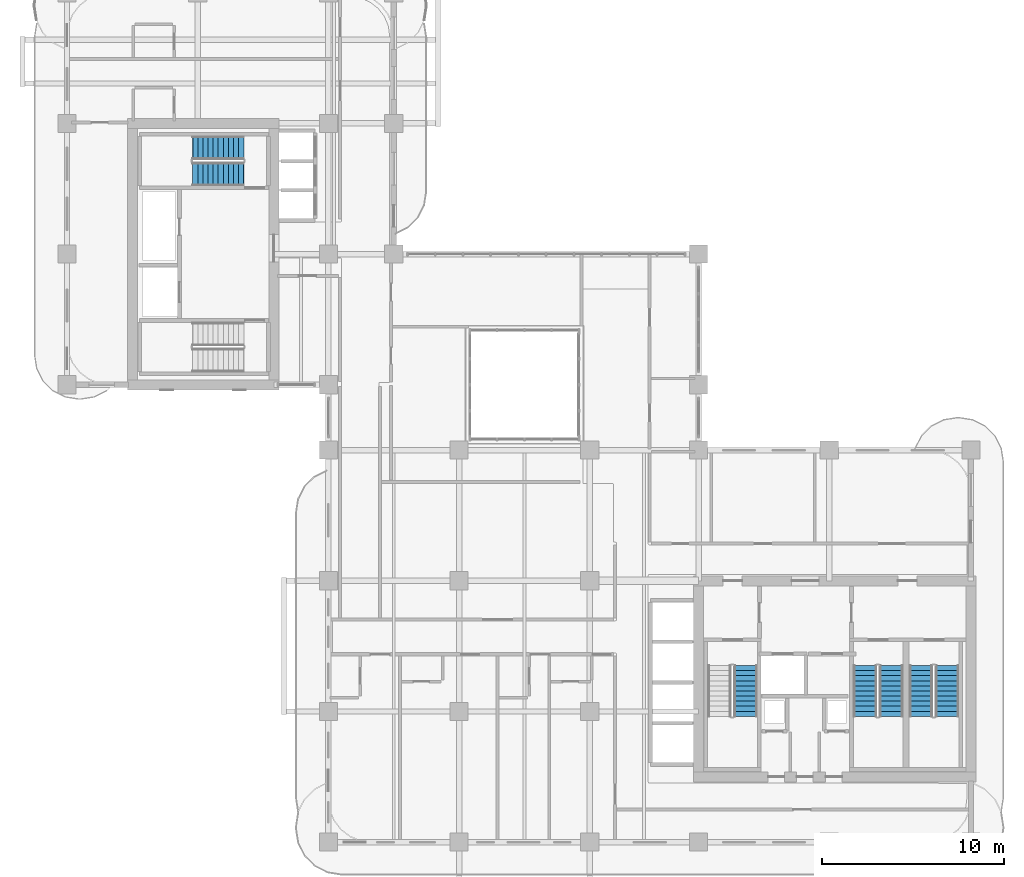
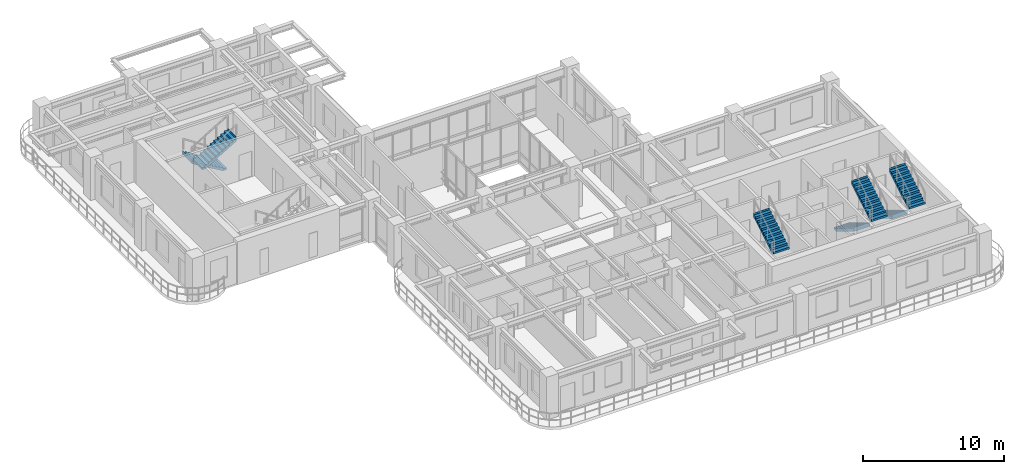
# One storey, part 16 of 20: 7 stair flights, 4 elements without a shape of their own.
"""IFC4 building model written with IfcOpenShell, lengths in metres."""

from ifc_helpers import new_model, si_unit, derived_unit, direction, frame, origin, place, context, subcontext, project, spatial, polyline, outline, extrude, source, transform, mapped, material, layer, layer_set, type_object, element, aggregate, save


model = new_model("IFC4")

# Units and contexts
model_context = context("Model", 3, precision=1e-05, world=origin(), true_north=direction((0.0, 1.0)))
body_context = subcontext(model_context, "Body", "Model", "MODEL_VIEW")
ifc_project = project(units=[si_unit("LENGTHUNIT", "METRE"), si_unit("AREAUNIT", "SQUARE_METRE"), si_unit("VOLUMEUNIT", "CUBIC_METRE"), si_unit("PLANEANGLEUNIT", "RADIAN"), si_unit("MASSUNIT", "GRAM", prefix="KILO"), si_unit("THERMODYNAMICTEMPERATUREUNIT", "KELVIN"), si_unit("POWERUNIT", "WATT"), derived_unit("THERMALTRANSMITTANCEUNIT", [(si_unit("POWERUNIT", "WATT"), 1), (si_unit("AREAUNIT", "SQUARE_METRE"), -1), (si_unit("THERMODYNAMICTEMPERATUREUNIT", "KELVIN"), -1)])], contexts=[model_context])

# Site, building, storey
site_placement = place(None, origin())
site = spatial("IfcSite", under=ifc_project, at=site_placement, CompositionType="ELEMENT")
building_placement = place(site_placement, origin())
building = spatial("IfcBuilding", under=site, at=building_placement, Name="Zahravan Archway Hotel and Residences", CompositionType="ELEMENT")
storey_placement = place(building_placement, frame((0.0, 0.0, 126.60009765625)))
storey = spatial("IfcBuildingStorey", under=building, at=storey_placement, Name="L31", CompositionType="ELEMENT", Elevation=126.60009765625)

# Stair, stair flight
ifc_material = material(Name="Concrete C50/60", Category="concrete")
stair_type = type_object("IfcStairType", Name="STR-CORE-1300", PredefinedType="HALF_TURN_STAIR", material=ifc_material)
stair_1_placement = place(storey_placement, origin())
stair_1 = element("IfcStair", 1, at=stair_1_placement, inside=storey, type_object=stair_type, Name="L31 Core A Exit Stair 1", PredefinedType="HALF_TURN_STAIR")
ifc_layer = layer(ifc_material, 0.199951171875, Name="Concrete C50/60", Category="concrete")
ifc_layer_set = layer_set([ifc_layer], Name="Concrete C50/60")
stair_flight_type = type_object("IfcStairFlightType", Name="SFL-CORE-1300", PredefinedType="STRAIGHT", material=ifc_layer_set)
shared_shape = source(origin(), body_context, "Body", "SweptSolid", [
    extrude(outline(polyline([(-0.01611328125, 0.0), (-0.01611328125, 0.168212890625), (0.280029296875, 0.168212890625), (0.280029296875, 0.33642578125), (0.56005859375, 0.33642578125), (0.56005859375, 0.504638671875), (0.840087890625, 0.504638671875), (0.840087890625, 0.672607421875), (1.1201171875, 0.672607421875), (1.1201171875, 0.8408203125), (1.39990234375, 0.8408203125), (1.39990234375, 1.009033203125), (1.679931640625, 1.009033203125), (1.679931640625, 1.17724609375), (1.9599609375, 1.17724609375), (1.9599609375, 1.345458984375), (2.239990234375, 1.345458984375), (2.239990234375, 1.513671875), (2.52001953125, 1.513671875), (2.52001953125, 1.681884765625), (2.800048828125, 1.681884765625), (2.800048828125, 1.85009765625), (2.816162109375, 1.85009765625), (2.816162109375, 1.5068359375), (0.291015625, 0.0), (-0.01611328125, 0.0)])), frame((0.0, 0.64990234375, 0.0), z_axis=(0.0, -1.0, 0.0), x_axis=(1.0, 0.0, 0.0)), (0.0, 0.0, 1.0), 1.300048828125),
])
stair_flight_1_placement = place(storey_placement, frame((37.389892578125, 6.929931640625, 1.849853515625), z_axis=(0.0, 0.0, 1.0), x_axis=(0.0, 1.0, 0.0)))
stair_flight_1 = element("IfcStairFlight", 2, at=stair_flight_1_placement, type_object=stair_flight_type, Name="ST-A1 flight 2", NumberOfRisers=11, NumberOfTreads=10, PredefinedType="STRAIGHT", RiserHeight=0.168181818, TreadLength=0.28, context=body_context, shape_type="MappedRepresentation", body=[
    mapped(shared_shape, transform((0.0, 0.0, 0.0), scale=1.0)),
])
aggregate(stair_1, [stair_flight_1])

# Stair, stair flights
stair_2_placement = place(storey_placement, origin())
stair_2 = element("IfcStair", 3, at=stair_2_placement, inside=storey, type_object=stair_type, Name="L31 Core A Exit Stair 2", PredefinedType="HALF_TURN_STAIR")
stair_flight_2_placement = place(storey_placement, frame((43.969970703125, 9.72998046875, 0.0), z_axis=(0.0, 0.0, 1.0), x_axis=(0.0, -1.0, 0.0)))
stair_flight_2 = element("IfcStairFlight", 4, at=stair_flight_2_placement, type_object=stair_flight_type, Name="ST-A2 flight 1", NumberOfRisers=11, NumberOfTreads=10, PredefinedType="STRAIGHT", RiserHeight=0.168181818, TreadLength=0.28, context=body_context, shape_type="MappedRepresentation", body=[
    mapped(shared_shape, transform((0.0, 0.0, 0.0), scale=1.0)),
])
stair_flight_3_placement = place(storey_placement, frame((45.409912109375, 6.929931640625, 1.849853515625), z_axis=(0.0, 0.0, 1.0), x_axis=(0.0, 1.0, 0.0)))
stair_flight_3 = element("IfcStairFlight", 5, at=stair_flight_3_placement, type_object=stair_flight_type, Name="ST-A2 flight 2", NumberOfRisers=11, NumberOfTreads=10, PredefinedType="STRAIGHT", RiserHeight=0.168181818, TreadLength=0.28, context=body_context, shape_type="MappedRepresentation", body=[
    mapped(shared_shape, transform((0.0, 0.0, 0.0), scale=1.0)),
])
aggregate(stair_2, [stair_flight_2, stair_flight_3])

stair_3_placement = place(storey_placement, origin())
stair_3 = element("IfcStair", 6, at=stair_3_placement, inside=storey, type_object=stair_type, Name="L31 Core A Exit Stair 3", PredefinedType="HALF_TURN_STAIR")
stair_flight_4_placement = place(storey_placement, frame((47.050048828125, 9.72998046875, 0.0), z_axis=(0.0, 0.0, 1.0), x_axis=(0.0, -1.0, 0.0)))
stair_flight_4 = element("IfcStairFlight", 7, at=stair_flight_4_placement, type_object=stair_flight_type, Name="ST-A3 flight 1", NumberOfRisers=11, NumberOfTreads=10, PredefinedType="STRAIGHT", RiserHeight=0.168181818, TreadLength=0.28, context=body_context, shape_type="MappedRepresentation", body=[
    mapped(shared_shape, transform((0.0, 0.0, 0.0), scale=1.0)),
])
stair_flight_5_placement = place(storey_placement, frame((48.489990234375, 6.929931640625, 1.849853515625), z_axis=(0.0, 0.0, 1.0), x_axis=(0.0, 1.0, 0.0)))
stair_flight_5 = element("IfcStairFlight", 8, at=stair_flight_5_placement, type_object=stair_flight_type, Name="ST-A3 flight 2", NumberOfRisers=11, NumberOfTreads=10, PredefinedType="STRAIGHT", RiserHeight=0.168181818, TreadLength=0.28, context=body_context, shape_type="MappedRepresentation", body=[
    mapped(shared_shape, transform((0.0, 0.0, 0.0), scale=1.0)),
])
aggregate(stair_3, [stair_flight_4, stair_flight_5])

stair_4_placement = place(storey_placement, origin())
stair_4 = element("IfcStair", 9, at=stair_4_placement, inside=storey, type_object=stair_type, Name="L31 Core B Exit Stair 2", PredefinedType="HALF_TURN_STAIR")
stair_flight_6_placement = place(storey_placement, frame((9.72998046875, 38.25, 0.0), z_axis=(0.0, 0.0, 1.0), x_axis=(-1.0, 0.0, 0.0)))
stair_flight_6 = element("IfcStairFlight", 10, at=stair_flight_6_placement, type_object=stair_flight_type, Name="ST-B2 flight 1", NumberOfRisers=11, NumberOfTreads=10, PredefinedType="STRAIGHT", RiserHeight=0.168181818, TreadLength=0.28, context=body_context, shape_type="MappedRepresentation", body=[
    mapped(shared_shape, transform((0.0, 0.0, 0.0), scale=1.0)),
])
stair_flight_7_placement = place(storey_placement, frame((6.929931640625, 36.81005859375, 1.849853515625), z_axis=(0.0, 0.0, 1.0), x_axis=(1.0, 0.0, 0.0)))
stair_flight_7 = element("IfcStairFlight", 11, at=stair_flight_7_placement, type_object=stair_flight_type, Name="ST-B2 flight 2", NumberOfRisers=11, NumberOfTreads=10, PredefinedType="STRAIGHT", RiserHeight=0.168181818, TreadLength=0.28, context=body_context, shape_type="MappedRepresentation", body=[
    mapped(shared_shape, transform((0.0, 0.0, 0.0), scale=1.0)),
])
aggregate(stair_4, [stair_flight_6, stair_flight_7])

save(model, "model.ifc")
